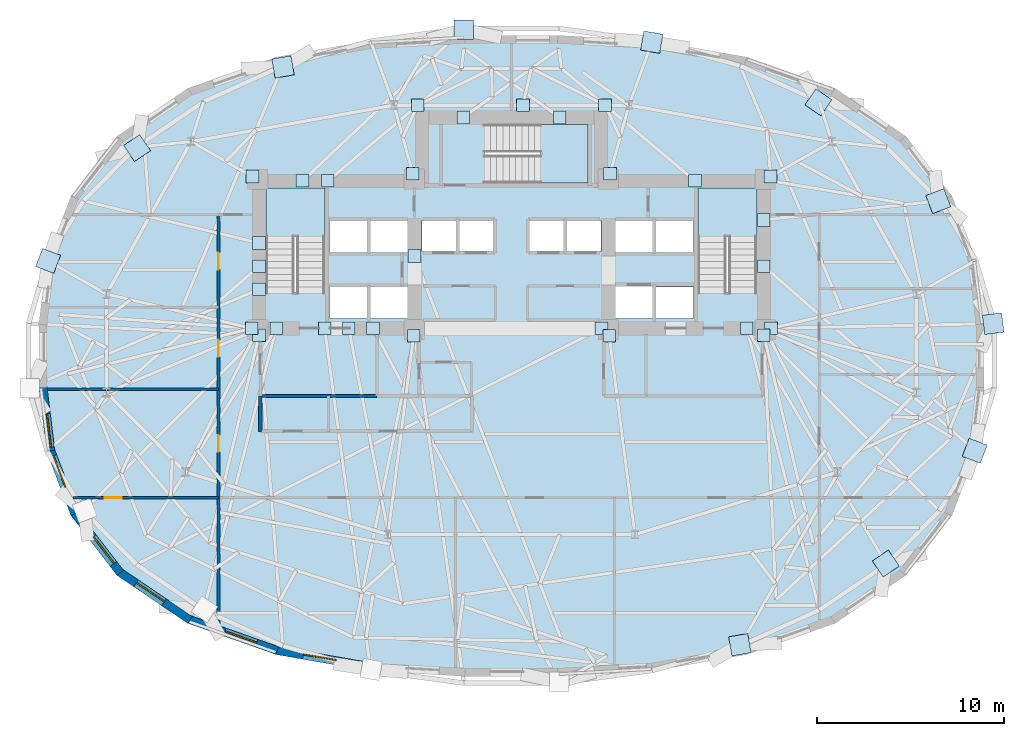
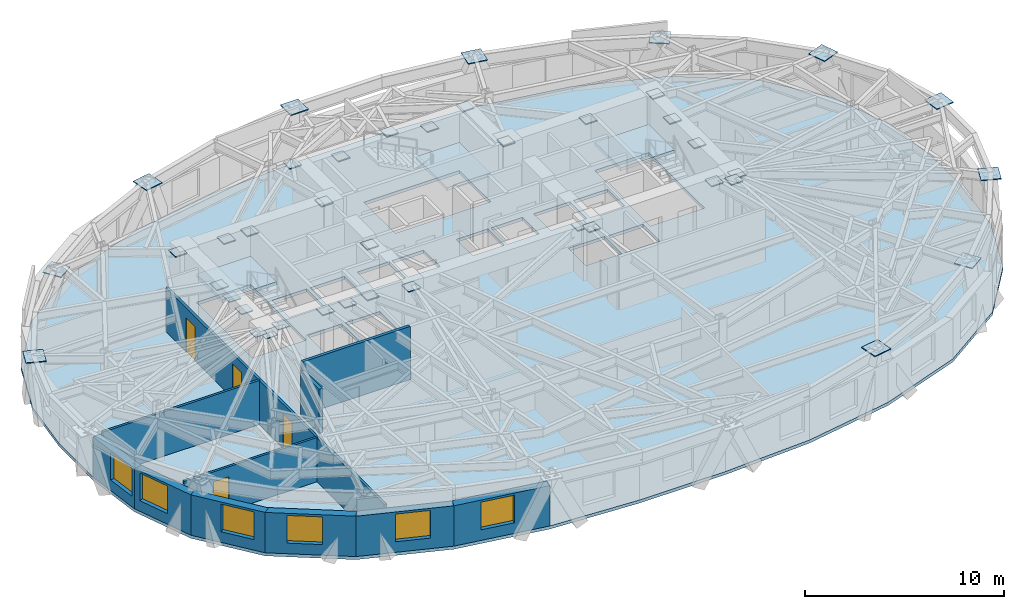
# One storey, part 5 of 13: 41 plates, 11 walls, 6 windows, 4 doors, 4 slabs, 10 openings, 3 elements without a shape of their own.
"""IFC4 building model written with IfcOpenShell, lengths in metres."""

from ifc_helpers import new_model, si_unit, direction, frame, frame_2d, origin, origin_2d, place, context, subcontext, project, spatial, polyline, rectangle, outline, extrude, material, layer, layer_set, type_object, element, fill, aggregate, save


model = new_model("IFC4")

# Units and contexts
model_context = context("Model", 3, precision=1e-05, world=origin(), true_north=direction((0.0, 1.0)))
body_context = subcontext(model_context, "Body", "Model", "MODEL_VIEW")
ifc_project = project(units=[si_unit("LENGTHUNIT", "METRE"), si_unit("AREAUNIT", "SQUARE_METRE"), si_unit("VOLUMEUNIT", "CUBIC_METRE"), si_unit("PLANEANGLEUNIT", "RADIAN"), si_unit("MASSUNIT", "GRAM", prefix="KILO")], contexts=[model_context])

# Site, building, storey
site_placement = place(None, origin())
site = spatial("IfcSite", under=ifc_project, at=site_placement, CompositionType="ELEMENT")
building_placement = place(site_placement, origin())
building = spatial("IfcBuilding", under=site, at=building_placement, Name="Keldmark Tower", CompositionType="ELEMENT")
storey_placement = place(building_placement, frame((0.0, 0.0, 131.60009765625)))
storey = spatial("IfcBuildingStorey", under=building, at=storey_placement, Name="L35", CompositionType="ELEMENT", Elevation=131.60009765625)

# Plates
ifc_material_1 = material(Name="Steel ASTM A572 Grade 50", Category="steel")
ifc_layer_1 = layer(ifc_material_1, 0.06005859375)
ifc_layer_set_1 = layer_set([ifc_layer_1], Name="Steel ASTM A572 Grade 50")
plate_type_1 = type_object("IfcPlateType", Name="Belt Truss Kink Node Assembly KN01 60 mm", PredefinedType="USERDEFINED", material=ifc_layer_set_1)
for number, where, z_axis, x_axis, name in (
    (1, (13.91162109375, 1.473388671875, 2.9638671875), (0.0, 0.0, 1.0), (1.0, 0.0, 0.0), "L35 Core Wall Cast-In Embed Plate 1027"),
    (2, (13.878173828125, 9.608154296875, 2.9638671875), (0.0, 0.0, 1.0), (1.0, 0.0, 0.0), "L35 Core Wall Cast-In Embed Plate 1028"),
    (3, (5.28515625, 9.758544921875, 2.9638671875), (0.0, 0.0, 1.0), (1.0, 0.0, 0.0), "L35 Core Wall Cast-In Embed Plate 1029"),
    (4, (-5.28515625, 9.758544921875, 2.9638671875), (0.0, 0.0, 1.0), (1.0, 0.0, 0.0), "L35 Core Wall Cast-In Embed Plate 1030"),
    (5, (-13.878173828125, 9.608154296875, 2.9638671875), (0.0, 0.0, 1.0), (1.0, 0.0, 0.0), "L35 Core Wall Cast-In Embed Plate 1031"),
    (6, (-13.91162109375, 1.473388671875, 2.9638671875), (0.0, 0.0, 1.0), (1.0, 0.0, 0.0), "L35 Core Wall Cast-In Embed Plate 1032"),
    (7, (-5.24072265625, 1.08251953125, 2.9638671875), (0.0, 0.0, 1.0), (1.0, 0.0, 0.0), "L35 Core Wall Cast-In Embed Plate 1033"),
    (8, (5.24072265625, 1.08251953125, 2.9638671875), (0.0, 0.0, 1.0), (1.0, 0.0, 0.0), "L35 Core Wall Cast-In Embed Plate 1034"),
    (9, (5.01611328125, 13.4326171875, 2.9638671875), (0.0, 0.0, 1.0), (1.0, 0.0, 0.0), "L35 Core Wall Cast-In Embed Plate 1035"),
    (10, (9.83935546875, 9.375, 2.9638671875), (0.0, 0.0, 1.0), (1.0, 0.0, 0.0), "L35 Core Wall Cast-In Embed Plate 1036"),
    (11, (-5.01611328125, 13.4326171875, 2.9638671875), (0.0, 0.0, 1.0), (1.0, 0.0, 0.0), "L35 Core Wall Cast-In Embed Plate 1037"),
    (12, (-9.83935546875, 9.375, 2.9638671875), (0.0, 0.0, 1.0), (1.0, 0.0, 0.0), "L35 Core Wall Cast-In Embed Plate 1038"),
    (13, (-13.52490234375, 1.10009765625, 2.9638671875), (0.0, 0.0, 1.0), (1.0, 0.0, 0.0), "L35 Core Wall Cast-In Embed Plate 1039"),
    (14, (-8.71435546875, 1.47509765625, 2.9638671875), (0.0, 0.0, 1.0), (1.0, 0.0, 0.0), "L35 Core Wall Cast-In Embed Plate 1040"),
    (15, (13.52490234375, 1.10009765625, 2.9638671875), (0.0, 0.0, 1.0), (1.0, 0.0, 0.0), "L35 Core Wall Cast-In Embed Plate 1041"),
    (16, (-12.603515625, 1.47509765625, 2.9638671875), (0.0, 0.0, 1.0), (1.0, 0.0, 0.0), "L35 Core Wall Cast-In Embed Plate 1042"),
    (17, (-5.199951171875, 5.35009765625, 2.9638671875), (0.0, 0.0, 1.0), (1.0, 0.0, 0.0), "L35 Core Wall Cast-In Embed Plate 1043"),
    (18, (13.52490234375, 7.278564453125, 2.9638671875), (0.0, 0.0, 1.0), (1.0, 0.0, 0.0), "L35 Core Wall Cast-In Embed Plate 1044"),
    (19, (0.615966796875, 13.4326171875, 2.9638671875), (0.0, 0.0, 1.0), (1.0, 0.0, 0.0), "L35 Core Wall Cast-In Embed Plate 1045"),
    (20, (-2.58740234375, 12.77490234375, 2.9638671875), (0.0, 0.0, 1.0), (1.0, 0.0, 0.0), "L35 Core Wall Cast-In Embed Plate 1046"),
    (21, (2.58740234375, 12.77490234375, 2.9638671875), (0.0, 0.0, 1.0), (1.0, 0.0, 0.0), "L35 Core Wall Cast-In Embed Plate 1047"),
    (22, (-13.52490234375, 6.04296875, 2.9638671875), (0.0, 0.0, 1.0), (1.0, 0.0, 0.0), "L35 Core Wall Cast-In Embed Plate 1048"),
    (23, (-13.52490234375, 3.5712890625, 2.9638671875), (0.0, 0.0, 1.0), (1.0, 0.0, 0.0), "L35 Core Wall Cast-In Embed Plate 1049"),
    (24, (-13.52490234375, 4.80712890625, 2.9638671875), (0.0, 0.0, 1.0), (1.0, 0.0, 0.0), "L35 Core Wall Cast-In Embed Plate 1050"),
    (25, (4.824951171875, 1.47509765625, 2.9638671875), (0.0, 0.0, 1.0), (1.0, 0.0, 0.0), "L35 Core Wall Cast-In Embed Plate 1051"),
    (26, (-10.0107421875, 1.47509765625, 2.9638671875), (0.0, 0.0, 1.0), (1.0, 0.0, 0.0), "L35 Core Wall Cast-In Embed Plate 1052"),
    (27, (-7.41796875, 1.47509765625, 2.9638671875), (0.0, 0.0, 1.0), (1.0, 0.0, 0.0), "L35 Core Wall Cast-In Embed Plate 1053"),
    (28, (12.603515625, 1.47509765625, 2.9638671875), (0.0, 0.0, 1.0), (1.0, 0.0, 0.0), "L35 Core Wall Cast-In Embed Plate 1054"),
    (29, (13.52490234375, 4.80712890625, 2.9638671875), (0.0, 0.0, 1.0), (1.0, 0.0, 0.0), "L35 Core Wall Cast-In Embed Plate 1055"),
    (30, (-11.19287109375, 9.375, 2.9638671875), (0.0, 0.0, 1.0), (1.0, 0.0, 0.0), "L35 Core Wall Cast-In Embed Plate 1056"),
):
    element("IfcPlate", number, at=place(storey_placement, frame(where, z_axis=z_axis, x_axis=x_axis)), inside=storey, type_object=plate_type_1, Name=name, ObjectType="CAP PLATE", PredefinedType="USERDEFINED", context=body_context, shape_type="SweptSolid", body=[
        extrude(rectangle(XDim=0.679931640625, YDim=0.679931640625, at=origin_2d()), origin(), (0.0, 0.0, 1.0), 0.054931640625),
    ])
ifc_material_2 = material(Name="Steel ASTM A572 Grade 50", Category="steel")
ifc_layer_2 = layer(ifc_material_2, 0.054931640625)
ifc_layer_set_2 = layer_set([ifc_layer_2], Name="Steel ASTM A572 Grade 50")
plate_type_2 = type_object("IfcPlateType", Name="Diagrid Node Assembly DN03 55 mm", PredefinedType="USERDEFINED", material=ifc_layer_set_2)
for number, where, z_axis, x_axis, name in (
    (31, (25.815185546875, 1.72119140625, 3.1123046875), (0.0, 0.0, 1.0), (-0.12117638583, 0.992630990609, 0.0), "L35 Diagrid Node Assembly 01"),
    (32, (22.87255859375, 8.28857421875, 3.1123046875), (0.0, 0.0, 1.0), (-0.354291037998, 0.935135209686, 0.0), "L35 Diagrid Node Assembly 02"),
    (33, (16.44775390625, 13.582275390625, 3.1123046875), (0.0, 0.0, 1.0), (-0.827668733006, 0.561216953062, 0.0), "L35 Diagrid Node Assembly 04"),
    (34, (7.51904296875, 16.808349609375, 3.1123046875), (0.0, 0.0, 1.0), (-0.985169280715, 0.171585221787, 0.0), "L35 Diagrid Node Assembly 06"),
    (35, (-2.55419921875, 17.4755859375, 3.1123046875), (0.0, 0.0, 1.0), (-1.0, 0.0, 0.0), "L35 Diagrid Node Assembly 08"),
    (36, (-12.239013671875, 15.482177734375, 3.1123046875), (0.0, 0.0, 1.0), (-0.985169280715, -0.171585221787, 0.0), "L35 Diagrid Node Assembly 10"),
    (37, (-20.060302734375, 11.131591796875, 3.1123046875), (0.0, 0.0, 1.0), (-0.827668733006, -0.561216953062, 0.0), "L35 Diagrid Node Assembly 12"),
    (38, (-24.827392578125, 5.08642578125, 3.1123046875), (0.0, 0.0, 1.0), (-0.354291037998, -0.935135209686, 0.0), "L35 Diagrid Node Assembly 14"),
    (39, (12.239013671875, -15.482177734375, 3.1123046875), (0.0, 0.0, 1.0), (0.985169280715, 0.171585221787, 0.0), "L35 Diagrid Node Assembly 26"),
    (40, (20.060302734375, -11.131591796875, 3.1123046875), (0.0, 0.0, 1.0), (0.827668733006, 0.561216953062, 0.0), "L35 Diagrid Node Assembly 28"),
    (41, (24.827392578125, -5.08642578125, 3.1123046875), (0.0, 0.0, 1.0), (0.354291037998, 0.935135209686, 0.0), "L35 Diagrid Node Assembly 30"),
):
    element("IfcPlate", number, at=place(storey_placement, frame(where, z_axis=z_axis, x_axis=x_axis)), inside=storey, type_object=plate_type_2, Name=name, ObjectType="GUSSET", PredefinedType="USERDEFINED", context=body_context, shape_type="SweptSolid", body=[
        extrude(rectangle(XDim=1.0400390625, YDim=1.0400390625, at=origin_2d()), origin(), (0.0, 0.0, 1.0), 0.054931640625),
    ])

# Slab
ifc_material_3 = material(Name="Concrete C35/45", Category="concrete")
ifc_layer_3 = layer(ifc_material_3, 0.18994140625)
ifc_layer_set_3 = layer_set([ifc_layer_3], Name="Concrete C35/45")
slab_type_1 = type_object("IfcSlabType", Name="Mid-Rise Office Composite Slab 190 mm", PredefinedType="FLOOR", material=ifc_layer_set_3)
slab_1_placement = place(storey_placement, frame((0.0, 0.0, -0.190185546875)))
element("IfcSlab", 42, at=slab_1_placement, inside=storey, type_object=slab_type_1, Name="L35 Composite Structural Floor Slab", PredefinedType="FLOOR", context=body_context, shape_type="SweptSolid", body=[
    extrude(outline(polyline([(25.328125, 1.69140625), (24.9091796875, 5.123291015625), (23.60888671875, 8.55615234375), (21.141357421875, 11.763916015625), (17.35009765625, 14.33447265625), (12.619140625, 16.007568359375), (7.55615234375, 16.88916015625), (2.49462890625, 17.173095703125), (-2.49462890625, 17.173095703125), (-7.55615234375, 16.88916015625), (-12.619140625, 16.007568359375), (-17.35009765625, 14.33447265625), (-21.141357421875, 11.763916015625), (-23.60888671875, 8.55615234375), (-24.9091796875, 5.123291015625), (-25.328125, 1.69140625), (-25.328125, -1.69140625), (-24.9091796875, -5.123291015625), (-23.60888671875, -8.55615234375), (-21.141357421875, -11.763916015625), (-17.35009765625, -14.33447265625), (-12.619140625, -16.007568359375), (-7.55615234375, -16.88916015625), (-2.49462890625, -17.173095703125), (2.49462890625, -17.173095703125), (7.55615234375, -16.88916015625), (12.619140625, -16.007568359375), (17.35009765625, -14.33447265625), (21.141357421875, -11.763916015625), (23.60888671875, -8.55615234375), (24.9091796875, -5.123291015625), (25.328125, -1.69140625), (25.328125, 1.69140625)]), holes=[polyline([(-10.0, 3.385009765625), (-10.0, 9.0), (-13.14990234375, 9.0), (-13.14990234375, 3.385009765625), (-10.0, 3.385009765625)]), polyline([(13.14990234375, 3.385009765625), (13.14990234375, 9.0), (10.0, 9.0), (10.0, 3.385009765625), (13.14990234375, 3.385009765625)]), polyline([(-1.43994140625, 9.25), (4.10498046875, 9.25), (4.10498046875, 12.39990234375), (-1.43994140625, 12.39990234375), (-1.43994140625, 9.25)]), polyline([(-9.75, 2.0), (-7.75, 2.0), (-7.75, 3.699951171875), (-9.75, 3.699951171875), (-9.75, 2.0)]), polyline([(7.75, 2.0), (9.75, 2.0), (9.75, 3.699951171875), (7.75, 3.699951171875), (7.75, 2.0)]), polyline([(5.449951171875, 2.0), (7.550048828125, 2.0), (7.550048828125, 3.75), (5.449951171875, 3.75), (5.449951171875, 2.0)]), polyline([(-4.800048828125, 5.60009765625), (-2.949951171875, 5.60009765625), (-2.949951171875, 7.25), (-4.800048828125, 7.25), (-4.800048828125, 5.60009765625)]), polyline([(-2.800048828125, 5.60009765625), (-0.949951171875, 5.60009765625), (-0.949951171875, 7.25), (-2.800048828125, 7.25), (-2.800048828125, 5.60009765625)]), polyline([(0.949951171875, 5.60009765625), (2.800048828125, 5.60009765625), (2.800048828125, 7.25), (0.949951171875, 7.25), (0.949951171875, 5.60009765625)]), polyline([(2.949951171875, 5.60009765625), (4.800048828125, 5.60009765625), (4.800048828125, 7.25), (2.949951171875, 7.25), (2.949951171875, 5.60009765625)]), polyline([(-9.75, 5.550048828125), (-7.75, 5.550048828125), (-7.75, 7.25), (-9.75, 7.25), (-9.75, 5.550048828125)]), polyline([(-7.550048828125, 5.550048828125), (-5.550048828125, 5.550048828125), (-5.550048828125, 7.25), (-7.550048828125, 7.25), (-7.550048828125, 5.550048828125)]), polyline([(-7.550048828125, 2.0), (-5.550048828125, 2.0), (-5.550048828125, 3.699951171875), (-7.550048828125, 3.699951171875), (-7.550048828125, 2.0)]), polyline([(5.449951171875, 5.550048828125), (7.550048828125, 5.550048828125), (7.550048828125, 7.25), (5.449951171875, 7.25), (5.449951171875, 5.550048828125)]), polyline([(7.75, 5.550048828125), (9.75, 5.550048828125), (9.75, 7.25), (7.75, 7.25), (7.75, 5.550048828125)])]), origin(), (0.0, 0.0, 1.0), 0.190185546875),
])

# Stair, slab
ifc_material_4 = material(Name="Concrete C40/50", Category="concrete")
stair_type = type_object("IfcStairType", Name="Precast Concrete Core Exit Stair", PredefinedType="HALF_TURN_STAIR", material=ifc_material_4)
stair_1_placement = place(storey_placement, origin())
stair_1 = element("IfcStair", 43, at=stair_1_placement, inside=storey, type_object=stair_type, Name="L35 Exit Stair ST1", PredefinedType="HALF_TURN_STAIR")
ifc_material_5 = material(Name="Concrete C40/50", Category="concrete")
ifc_layer_4 = layer(ifc_material_5, 0.199951171875)
ifc_layer_set_4 = layer_set([ifc_layer_4], Name="Concrete C40/50")
slab_type_2 = type_object("IfcSlabType", Name="Reinforced Concrete Stair Landing 200 mm", PredefinedType="LANDING", material=ifc_layer_set_4)
slab_2_placement = place(storey_placement, frame((0.0, 0.0, 1.5498046875)))
slab_2 = element("IfcSlab", 44, at=slab_2_placement, type_object=slab_type_2, Name="ST1 landing 1", PredefinedType="LANDING", context=body_context, shape_type="SweptSolid", body=[
    extrude(outline(polyline([(-10.0, 6.389892578125), (-10.0, 9.0), (-13.14990234375, 9.0), (-13.14990234375, 6.389892578125), (-10.0, 6.389892578125)])), origin(), (0.0, 0.0, 1.0), 0.2001953125),
])
aggregate(stair_1, [slab_2])

stair_2_placement = place(storey_placement, origin())
stair_2 = element("IfcStair", 45, at=stair_2_placement, inside=storey, type_object=stair_type, Name="L35 Exit Stair ST2", PredefinedType="HALF_TURN_STAIR")
slab_3_placement = place(storey_placement, frame((0.0, 0.0, 1.5498046875)))
slab_3 = element("IfcSlab", 46, at=slab_3_placement, type_object=slab_type_2, Name="ST2 landing 1", PredefinedType="LANDING", context=body_context, shape_type="SweptSolid", body=[
    extrude(outline(polyline([(13.14990234375, 6.389892578125), (13.14990234375, 9.0), (10.0, 9.0), (10.0, 6.389892578125), (13.14990234375, 6.389892578125)])), origin(), (0.0, 0.0, 1.0), 0.2001953125),
])
aggregate(stair_2, [slab_3])

stair_3_placement = place(storey_placement, origin())
stair_3 = element("IfcStair", 47, at=stair_3_placement, inside=storey, type_object=stair_type, Name="L35 Exit Stair ST3", PredefinedType="HALF_TURN_STAIR")
slab_4_placement = place(storey_placement, frame((0.0, 0.0, 1.5498046875)))
slab_4 = element("IfcSlab", 48, at=slab_4_placement, type_object=slab_type_2, Name="ST3 landing 1", PredefinedType="LANDING", context=body_context, shape_type="SweptSolid", body=[
    extrude(outline(polyline([(1.56494140625, 9.25), (4.10498046875, 9.25), (4.10498046875, 12.39990234375), (1.56494140625, 12.39990234375), (1.56494140625, 9.25)])), origin(), (0.0, 0.0, 1.0), 0.2001953125),
])
aggregate(stair_3, [slab_4])

# Wall, openings, doors
ifc_material_6 = material(Name="Acoustic Double-Layer Gypsum Corridor Partition", Category="gypsum")
ifc_layer_5 = layer(ifc_material_6, 0.139892578125)
ifc_layer_set_5 = layer_set([ifc_layer_5], Name="Acoustic Double-Layer Gypsum Corridor Partition")
wall_type_1 = type_object("IfcWallType", Name="Acoustic Corridor Partition 140 mm", PredefinedType="PARTITIONING", material=ifc_layer_set_5)
wall_1_placement = place(storey_placement, frame((-15.699951171875, -14.44287109375, 0.0), z_axis=(0.0, 0.0, 1.0), x_axis=(0.0, 1.0, 0.0)))
wall_1 = element("IfcWall", 49, at=wall_1_placement, inside=storey, type_object=wall_type_1, Name="L35 Acoustic Corridor Partition 140 mm COR-W", PredefinedType="PARTITIONING", context=body_context, shape_type="SweptSolid", body=[
    extrude(rectangle(XDim=21.992919921875, YDim=0.139892578125, at=frame_2d((10.99658203125, 0.0))), origin(), (0.0, 0.0, 1.0), 2.712890625),
])
opening_1_placement = place(wall_1_placement, frame((9.29296875, 0.0, 0.0)))
opening_1 = element("IfcOpeningElement", 50, at=opening_1_placement, cuts=wall_1, Name="Opening D-IN090", PredefinedType="OPENING", context=body_context, shape_type="SweptSolid", body=[
    extrude(rectangle(XDim=0.89990234375, YDim=2.10009765625, at=frame_2d((0.449951171875, 1.050048828125))), frame((0.0, 0.079833984375, 0.0), z_axis=(0.0, -1.0, 0.0), x_axis=(1.0, 0.0, 0.0)), (0.0, 0.0, 1.0), 0.159912109375),
])
opening_2_placement = place(wall_1_placement, frame((14.392822265625, 0.0, 0.0)))
opening_2 = element("IfcOpeningElement", 51, at=opening_2_placement, cuts=wall_1, Name="Opening D-IN090", PredefinedType="OPENING", context=body_context, shape_type="SweptSolid", body=[
    extrude(rectangle(XDim=0.89990234375, YDim=2.10009765625, at=frame_2d((0.449951171875, 1.050048828125))), frame((0.0, 0.079833984375, 0.0), z_axis=(0.0, -1.0, 0.0), x_axis=(1.0, 0.0, 0.0)), (0.0, 0.0, 1.0), 0.159912109375),
])
opening_3_placement = place(wall_1_placement, frame((19.06787109375, 0.0, 0.0)))
opening_3 = element("IfcOpeningElement", 52, at=opening_3_placement, cuts=wall_1, Name="Opening D-IN090", PredefinedType="OPENING", context=body_context, shape_type="SweptSolid", body=[
    extrude(rectangle(XDim=0.89990234375, YDim=2.10009765625, at=frame_2d((0.449951171875, 1.050048828125))), frame((0.0, 0.079833984375, 0.0), z_axis=(0.0, -1.0, 0.0), x_axis=(1.0, 0.0, 0.0)), (0.0, 0.0, 1.0), 0.159912109375),
])
ifc_material_7 = material(Name="Stained American White Oak Veneer", Category="wood")
door_type = type_object("IfcDoorType", Name="Interior Door 900x2100", OperationType="NOTDEFINED", PredefinedType="DOOR", material=ifc_material_7)
door_1_placement = place(opening_1_placement, origin())
door_1 = element("IfcDoor", 53, at=door_1_placement, inside=storey, type_object=door_type, Name="L35 Interior Door 900x2100 D-WR-1-L35", OperationType="SINGLE_SWING_RIGHT", OverallHeight=2.10009765625, OverallWidth=0.89990234375, PredefinedType="DOOR", context=body_context, shape_type="SweptSolid", body=[
    extrude(rectangle(XDim=0.89990234375, YDim=2.10009765625, at=frame_2d((0.449951171875, 1.050048828125))), frame((0.0, 0.02490234375, 0.0), z_axis=(0.0, -1.0, 0.0), x_axis=(1.0, 0.0, 0.0)), (0.0, 0.0, 1.0), 0.050048828125),
])
fill(opening_1, door_1)
door_2_placement = place(opening_2_placement, origin())
door_2 = element("IfcDoor", 54, at=door_2_placement, inside=storey, type_object=door_type, Name="L35 Interior Door 900x2100 D-WR-2-L35", OperationType="SINGLE_SWING_RIGHT", OverallHeight=2.10009765625, OverallWidth=0.89990234375, PredefinedType="DOOR", context=body_context, shape_type="SweptSolid", body=[
    extrude(rectangle(XDim=0.89990234375, YDim=2.10009765625, at=frame_2d((0.449951171875, 1.050048828125))), frame((0.0, 0.02490234375, 0.0), z_axis=(0.0, -1.0, 0.0), x_axis=(1.0, 0.0, 0.0)), (0.0, 0.0, 1.0), 0.050048828125),
])
fill(opening_2, door_2)
door_3_placement = place(opening_3_placement, origin())
door_3 = element("IfcDoor", 55, at=door_3_placement, inside=storey, type_object=door_type, Name="L35 Interior Door 900x2100 D-WR-3-L35", OperationType="SINGLE_SWING_LEFT", OverallHeight=2.10009765625, OverallWidth=0.89990234375, PredefinedType="DOOR", context=body_context, shape_type="SweptSolid", body=[
    extrude(rectangle(XDim=0.89990234375, YDim=2.10009765625, at=frame_2d((0.449951171875, 1.050048828125))), frame((0.0, 0.02490234375, 0.0), z_axis=(0.0, -1.0, 0.0), x_axis=(1.0, 0.0, 0.0)), (0.0, 0.0, 1.0), 0.050048828125),
])
fill(opening_3, door_3)

# Wall
ifc_material_8 = material(Name="Heavy Acoustic Plumbing Chase Gypsum Assembly", Category="gypsum")
ifc_layer_6 = layer(ifc_material_8, 0.18994140625)
ifc_layer_set_6 = layer_set([ifc_layer_6], Name="Heavy Acoustic Plumbing Chase Gypsum Assembly")
wall_type_2 = type_object("IfcWallType", Name="Heavy Wet Wall 190 mm", PredefinedType="PLUMBINGWALL", material=ifc_layer_set_6)
wall_2_placement = place(storey_placement, frame((-13.449951171875, -4.050048828125, 0.0), z_axis=(0.0, 0.0, 1.0), x_axis=(0.0, 1.0, 0.0)))
element("IfcWall", 56, at=wall_2_placement, inside=storey, type_object=wall_type_2, Name="L35 Heavy Wet Wall 190 mm SPK-W-W", PredefinedType="PLUMBINGWALL", context=body_context, shape_type="SweptSolid", body=[
    extrude(rectangle(XDim=1.900146484375, YDim=0.18994140625, at=frame_2d((0.9501953125, 0.0))), origin(), (0.0, 0.0, 1.0), 2.712890625),
])

# Wall, opening, door
ifc_material_9 = material(Name="Acoustic Gypsum Board Interior Partition", Category="gypsum")
ifc_layer_7 = layer(ifc_material_9, 0.1298828125)
ifc_layer_set_7 = layer_set([ifc_layer_7], Name="Acoustic Gypsum Board Interior Partition")
wall_type_3 = type_object("IfcWallType", Name="Interior Partition 130 mm", PredefinedType="PARTITIONING", material=ifc_layer_set_7)
wall_3_placement = place(storey_placement, frame((-23.4921875, -7.60009765625, 0.0), z_axis=(0.0, 0.0, 1.0), x_axis=(1.0, 0.0, 0.0)))
wall_3 = element("IfcWall", 57, at=wall_3_placement, inside=storey, type_object=wall_type_3, Name="L35 Interior Partition 130 mm W-CAP-S", PredefinedType="PARTITIONING", context=body_context, shape_type="SweptSolid", body=[
    extrude(rectangle(XDim=7.792236328125, YDim=0.1298828125, at=frame_2d((3.89599609375, 0.0))), origin(), (0.0, 0.0, 1.0), 2.712890625),
])
opening_4_placement = place(wall_3_placement, frame((1.7099609375, 0.0, 0.0)))
opening_4 = element("IfcOpeningElement", 58, at=opening_4_placement, cuts=wall_3, Name="Opening D-IN090", PredefinedType="OPENING", context=body_context, shape_type="SweptSolid", body=[
    extrude(rectangle(XDim=0.89990234375, YDim=2.10009765625, at=frame_2d((0.449951171875, 1.050048828125))), frame((0.0, 0.074951171875, 0.0), z_axis=(0.0, -1.0, 0.0), x_axis=(1.0, 0.0, 0.0)), (0.0, 0.0, 1.0), 0.14990234375),
])
door_4_placement = place(opening_4_placement, origin())
door_4 = element("IfcDoor", 59, at=door_4_placement, inside=storey, type_object=door_type, Name="L35 Interior Door 900x2100 D-WRSW-L35", OperationType="SINGLE_SWING_LEFT", OverallHeight=2.10009765625, OverallWidth=0.89990234375, PredefinedType="DOOR", context=body_context, shape_type="SweptSolid", body=[
    extrude(rectangle(XDim=0.89990234375, YDim=2.10009765625, at=frame_2d((0.449951171875, 1.050048828125))), frame((0.0, 0.02490234375, 0.0), z_axis=(0.0, -1.0, 0.0), x_axis=(1.0, 0.0, 0.0)), (0.0, 0.0, 1.0), 0.050048828125),
])
fill(opening_4, door_4)

# Walls
wall_4_placement = place(storey_placement, frame((-24.863525390625, -1.800048828125, 0.0), z_axis=(0.0, 0.0, 1.0), x_axis=(1.0, 0.0, 0.0)))
element("IfcWall", 60, at=wall_4_placement, inside=storey, type_object=wall_type_3, Name="L35 Interior Partition 130 mm W-DIV-1", PredefinedType="PARTITIONING", context=body_context, shape_type="SweptSolid", body=[
    extrude(rectangle(XDim=9.16357421875, YDim=0.1298828125, at=frame_2d((4.581787109375, 0.0))), origin(), (0.0, 0.0, 1.0), 2.712890625),
])
ifc_material_10 = material(Name="Type X Fire-Rated Gypsum Partition Assembly", Category="gypsum")
ifc_layer_8 = layer(ifc_material_10, 0.1650390625)
ifc_layer_set_8 = layer_set([ifc_layer_8], Name="Type X Fire-Rated Gypsum Partition Assembly")
wall_type_4 = type_object("IfcWallType", Name="Rated Partition 165 mm", PredefinedType="PARTITIONING", material=ifc_layer_set_8)
wall_5_placement = place(storey_placement, frame((-13.449951171875, -2.14990234375, 0.0), z_axis=(0.0, 0.0, 1.0), x_axis=(1.0, 0.0, 0.0)))
element("IfcWall", 61, at=wall_5_placement, inside=storey, type_object=wall_type_4, Name="L35 Rated Partition 165 mm FSAE-W-S", PredefinedType="PARTITIONING", context=body_context, shape_type="SweptSolid", body=[
    extrude(rectangle(XDim=6.25, YDim=0.1650390625, at=frame_2d((3.125, 0.0))), origin(), (0.0, 0.0, 1.0), 3.260009765625),
])

# Wall, opening, window
ifc_material_11 = material(Name="Ironspot Manganese Brick and Kasota Buff Limestone Spandrel Assembly", Category="masonry")
ifc_layer_9 = layer(ifc_material_11, 0.43994140625)
ifc_layer_set_9 = layer_set([ifc_layer_9], Name="Ironspot Manganese Brick and Kasota Buff Limestone Spandrel Assembly")
wall_type_5 = type_object("IfcWallType", Name="Tower Brick Pier and Spandrel Wall 440 mm", PredefinedType="STANDARD", material=ifc_layer_set_9)
wall_6_placement = place(storey_placement, frame((-24.69091796875, -5.0966796875, 0.0), z_axis=(0.0, 0.0, 1.0), x_axis=(-0.121105287727, 0.992639667394, 0.0)))
wall_6 = element("IfcWall", 62, at=wall_6_placement, inside=storey, type_object=wall_type_5, Name="L35 Exterior Brick and Spandrel Wall 17", PredefinedType="STANDARD", context=body_context, shape_type="SweptSolid", body=[
    extrude(rectangle(XDim=3.457275390625, YDim=0.43994140625, at=frame_2d((1.728515625, 0.0))), origin(), (0.0, 0.0, 1.0), 2.477783203125),
])
opening_5_placement = place(wall_6_placement, frame((0.199951171875, 0.0, 0.64990234375)))
opening_5 = element("IfcOpeningElement", 63, at=opening_5_placement, cuts=wall_6, Name="Opening W-02", PredefinedType="OPENING", context=body_context, shape_type="SweptSolid", body=[
    extrude(rectangle(XDim=1.800048828125, YDim=1.699951171875, at=frame_2d((0.89990234375, 0.85009765625))), frame((0.0, 0.22998046875, 0.0), z_axis=(0.0, -1.0, 0.0), x_axis=(1.0, 0.0, 0.0)), (0.0, 0.0, 1.0), 0.4599609375),
])
ifc_material_12 = material(Name="Thermally Broken Anodized Aluminum and Triple Low-E Argon Glazing", Category="aluminium")
window_type = type_object("IfcWindowType", Name="Office Deep-Set Triple Window 1800x1700", PartitioningType="TRIPLE_PANEL_VERTICAL", PredefinedType="WINDOW", material=ifc_material_12)
window_1_placement = place(opening_5_placement, origin())
window_1 = element("IfcWindow", 64, at=window_1_placement, inside=storey, type_object=window_type, Name="L35 Deep-Set Window 17", OverallHeight=1.699951171875, OverallWidth=1.800048828125, PartitioningType="SINGLE_PANEL", PredefinedType="WINDOW", context=body_context, shape_type="SweptSolid", body=[
    extrude(rectangle(XDim=1.800048828125, YDim=1.699951171875, at=frame_2d((0.89990234375, 0.85009765625))), frame((0.0, -0.010009765625, 0.0), z_axis=(0.0, -1.0, 0.0), x_axis=(1.0, 0.0, 0.0)), (0.0, 0.0, 1.0), 0.06005859375),
])
fill(opening_5, window_1)

wall_7_placement = place(storey_placement, frame((-23.4033203125, -8.478271484375, 0.0), z_axis=(0.0, 0.0, 1.0), x_axis=(-0.354219131363, 0.935162449511, 0.0)))
wall_7 = element("IfcWall", 65, at=wall_7_placement, inside=storey, type_object=wall_type_5, Name="L35 Exterior Brick and Spandrel Wall 18", PredefinedType="STANDARD", context=body_context, shape_type="SweptSolid", body=[
    extrude(rectangle(XDim=3.6708984375, YDim=0.43994140625, at=frame_2d((1.83544921875, 0.0))), origin(), (0.0, 0.0, 1.0), 2.477783203125),
])
opening_6_placement = place(wall_7_placement, frame((1.52392578125, 0.0, 0.64990234375)))
opening_6 = element("IfcOpeningElement", 66, at=opening_6_placement, cuts=wall_7, Name="Opening W-02", PredefinedType="OPENING", context=body_context, shape_type="SweptSolid", body=[
    extrude(rectangle(XDim=1.800048828125, YDim=1.699951171875, at=frame_2d((0.89990234375, 0.85009765625))), frame((0.0, 0.22998046875, 0.0), z_axis=(0.0, -1.0, 0.0), x_axis=(1.0, 0.0, 0.0)), (0.0, 0.0, 1.0), 0.4599609375),
])
window_2_placement = place(opening_6_placement, origin())
window_2 = element("IfcWindow", 67, at=window_2_placement, inside=storey, type_object=window_type, Name="L35 Deep-Set Window 18", OverallHeight=1.699951171875, OverallWidth=1.800048828125, PartitioningType="SINGLE_PANEL", PredefinedType="WINDOW", context=body_context, shape_type="SweptSolid", body=[
    extrude(rectangle(XDim=1.800048828125, YDim=1.699951171875, at=frame_2d((0.89990234375, 0.85009765625))), frame((0.0, -0.010009765625, 0.0), z_axis=(0.0, -1.0, 0.0), x_axis=(1.0, 0.0, 0.0)), (0.0, 0.0, 1.0), 0.06005859375),
])
fill(opening_6, window_2)

wall_8_placement = place(storey_placement, frame((-20.966796875, -11.6298828125, 0.0), z_axis=(0.0, 0.0, 1.0), x_axis=(-0.60975157382, 0.792592592839, 0.0)))
wall_8 = element("IfcWall", 68, at=wall_8_placement, inside=storey, type_object=wall_type_5, Name="L35 Exterior Brick and Spandrel Wall 19", PredefinedType="STANDARD", context=body_context, shape_type="SweptSolid", body=[
    extrude(rectangle(XDim=4.047119140625, YDim=0.43994140625, at=frame_2d((2.0234375, 0.0))), origin(), (0.0, 0.0, 1.0), 2.48193359375),
])
opening_7_placement = place(wall_8_placement, frame((0.599365234375, 0.0, 0.64990234375)))
opening_7 = element("IfcOpeningElement", 69, at=opening_7_placement, cuts=wall_8, Name="Opening W-02", PredefinedType="OPENING", context=body_context, shape_type="SweptSolid", body=[
    extrude(rectangle(XDim=1.800048828125, YDim=1.699951171875, at=frame_2d((0.89990234375, 0.85009765625))), frame((0.0, 0.22998046875, 0.0), z_axis=(0.0, -1.0, 0.0), x_axis=(1.0, 0.0, 0.0)), (0.0, 0.0, 1.0), 0.4599609375),
])
window_3_placement = place(opening_7_placement, origin())
window_3 = element("IfcWindow", 70, at=window_3_placement, inside=storey, type_object=window_type, Name="L35 Deep-Set Window 19", OverallHeight=1.699951171875, OverallWidth=1.800048828125, PartitioningType="SINGLE_PANEL", PredefinedType="WINDOW", context=body_context, shape_type="SweptSolid", body=[
    extrude(rectangle(XDim=1.800048828125, YDim=1.699951171875, at=frame_2d((0.89990234375, 0.85009765625))), frame((0.0, -0.010009765625, 0.0), z_axis=(0.0, -1.0, 0.0), x_axis=(1.0, 0.0, 0.0)), (0.0, 0.0, 1.0), 0.06005859375),
])
fill(opening_7, window_3)

wall_9_placement = place(storey_placement, frame((-17.226806640625, -14.15234375, 0.0), z_axis=(0.0, 0.0, 1.0), x_axis=(-0.827670311179, 0.561214625605, 0.0)))
wall_9 = element("IfcWall", 71, at=wall_9_placement, inside=storey, type_object=wall_type_5, Name="L35 Exterior Brick and Spandrel Wall 20", PredefinedType="STANDARD", context=body_context, shape_type="SweptSolid", body=[
    extrude(rectangle(XDim=4.580322265625, YDim=0.43994140625, at=frame_2d((2.2900390625, 0.0))), origin(), (0.0, 0.0, 1.0), 2.48193359375),
])
opening_8_placement = place(wall_9_placement, frame((1.687744140625, 0.0, 0.64990234375)))
opening_8 = element("IfcOpeningElement", 72, at=opening_8_placement, cuts=wall_9, Name="Opening W-02", PredefinedType="OPENING", context=body_context, shape_type="SweptSolid", body=[
    extrude(rectangle(XDim=1.800048828125, YDim=1.699951171875, at=frame_2d((0.89990234375, 0.85009765625))), frame((0.0, 0.22998046875, 0.0), z_axis=(0.0, -1.0, 0.0), x_axis=(1.0, 0.0, 0.0)), (0.0, 0.0, 1.0), 0.4599609375),
])
window_4_placement = place(opening_8_placement, origin())
window_4 = element("IfcWindow", 73, at=window_4_placement, inside=storey, type_object=window_type, Name="L35 Deep-Set Window 20", OverallHeight=1.699951171875, OverallWidth=1.800048828125, PartitioningType="SINGLE_PANEL", PredefinedType="WINDOW", context=body_context, shape_type="SweptSolid", body=[
    extrude(rectangle(XDim=1.800048828125, YDim=1.699951171875, at=frame_2d((0.89990234375, 0.85009765625))), frame((0.0, -0.010009765625, 0.0), z_axis=(0.0, -1.0, 0.0), x_axis=(1.0, 0.0, 0.0)), (0.0, 0.0, 1.0), 0.06005859375),
])
fill(opening_8, window_4)

wall_10_placement = place(storey_placement, frame((-12.5458984375, -15.80029296875, 0.0), z_axis=(0.0, 0.0, 1.0), x_axis=(-0.942780868171, 0.333413009061, 0.0)))
wall_10 = element("IfcWall", 74, at=wall_10_placement, inside=storey, type_object=wall_type_5, Name="L35 Exterior Brick and Spandrel Wall 21", PredefinedType="STANDARD", context=body_context, shape_type="SweptSolid", body=[
    extrude(rectangle(XDim=5.01806640625, YDim=0.43994140625, at=frame_2d((2.509033203125, 0.0))), origin(), (0.0, 0.0, 1.0), 2.477783203125),
])
opening_9_placement = place(wall_10_placement, frame((1.188720703125, 0.0, 0.64990234375)))
opening_9 = element("IfcOpeningElement", 75, at=opening_9_placement, cuts=wall_10, Name="Opening W-02", PredefinedType="OPENING", context=body_context, shape_type="SweptSolid", body=[
    extrude(rectangle(XDim=1.800048828125, YDim=1.699951171875, at=frame_2d((0.89990234375, 0.85009765625))), frame((0.0, 0.22998046875, 0.0), z_axis=(0.0, -1.0, 0.0), x_axis=(1.0, 0.0, 0.0)), (0.0, 0.0, 1.0), 0.4599609375),
])
window_5_placement = place(opening_9_placement, origin())
window_5 = element("IfcWindow", 76, at=window_5_placement, inside=storey, type_object=window_type, Name="L35 Deep-Set Window 21", OverallHeight=1.699951171875, OverallWidth=1.800048828125, PartitioningType="SINGLE_PANEL", PredefinedType="WINDOW", context=body_context, shape_type="SweptSolid", body=[
    extrude(rectangle(XDim=1.800048828125, YDim=1.699951171875, at=frame_2d((0.89990234375, 0.85009765625))), frame((0.0, -0.010009765625, 0.0), z_axis=(0.0, -1.0, 0.0), x_axis=(1.0, 0.0, 0.0)), (0.0, 0.0, 1.0), 0.06005859375),
])
fill(opening_9, window_5)

wall_11_placement = place(storey_placement, frame((-7.518310546875, -16.672607421875, 0.0), z_axis=(0.0, 0.0, 1.0), x_axis=(-0.985177916526, 0.171535631254, 0.0)))
wall_11 = element("IfcWall", 77, at=wall_11_placement, inside=storey, type_object=wall_type_5, Name="L35 Exterior Brick and Spandrel Wall 22", PredefinedType="STANDARD", context=body_context, shape_type="SweptSolid", body=[
    extrude(rectangle(XDim=5.139404296875, YDim=0.43994140625, at=frame_2d((2.56982421875, 0.0))), origin(), (0.0, 0.0, 1.0), 2.477783203125),
])
opening_10_placement = place(wall_11_placement, frame((1.893798828125, 0.0, 0.64990234375)))
opening_10 = element("IfcOpeningElement", 78, at=opening_10_placement, cuts=wall_11, Name="Opening W-02", PredefinedType="OPENING", context=body_context, shape_type="SweptSolid", body=[
    extrude(rectangle(XDim=1.800048828125, YDim=1.699951171875, at=frame_2d((0.89990234375, 0.85009765625))), frame((0.0, 0.22998046875, 0.0), z_axis=(0.0, -1.0, 0.0), x_axis=(1.0, 0.0, 0.0)), (0.0, 0.0, 1.0), 0.4599609375),
])
window_6_placement = place(opening_10_placement, origin())
window_6 = element("IfcWindow", 79, at=window_6_placement, inside=storey, type_object=window_type, Name="L35 Deep-Set Window 22", OverallHeight=1.699951171875, OverallWidth=1.800048828125, PartitioningType="SINGLE_PANEL", PredefinedType="WINDOW", context=body_context, shape_type="SweptSolid", body=[
    extrude(rectangle(XDim=1.800048828125, YDim=1.699951171875, at=frame_2d((0.89990234375, 0.85009765625))), frame((0.0, -0.010009765625, 0.0), z_axis=(0.0, -1.0, 0.0), x_axis=(1.0, 0.0, 0.0)), (0.0, 0.0, 1.0), 0.06005859375),
])
fill(opening_10, window_6)

save(model, "model.ifc")
